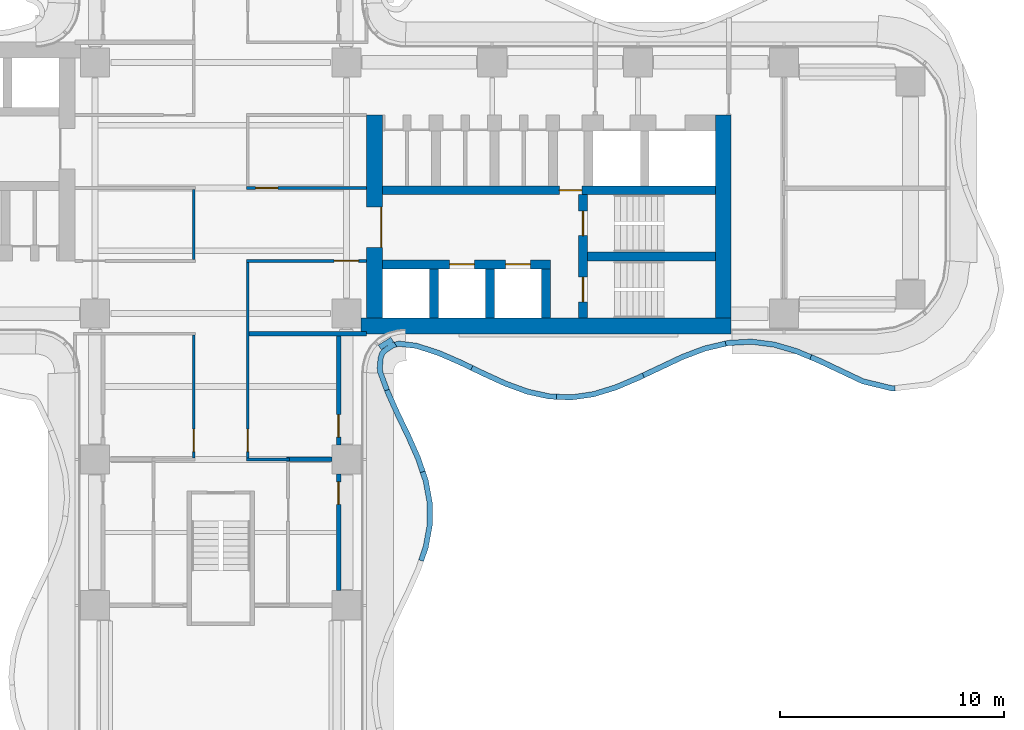
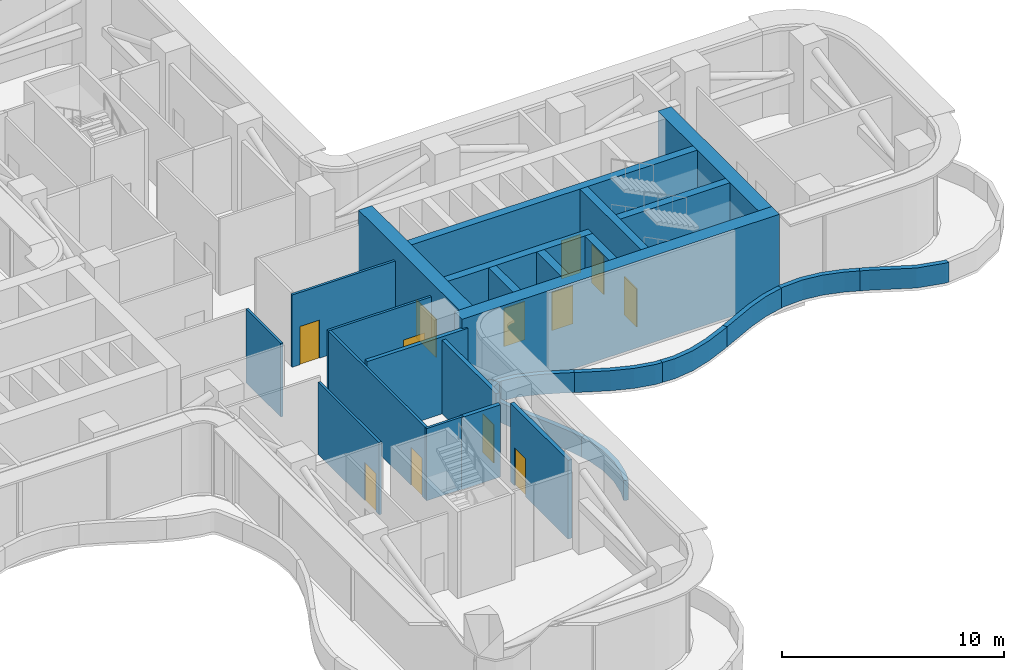
# One storey, part 14 of 20: 29 walls, 12 doors, 12 openings.
"""IFC4 building model written with IfcOpenShell, lengths in metres."""

from ifc_helpers import new_model, si_unit, direction, frame, frame_2d, origin, place, context, subcontext, project, spatial, polyline, rectangle, outline, extrude, source, transform, mapped, material, layer, layer_set, type_object, element, fill, save


model = new_model("IFC4")

# Units and contexts
model_context = context("Model", 3, precision=1e-05, world=origin(), true_north=direction((0.0, 1.0)))
body_context = subcontext(model_context, "Body", "Model", "MODEL_VIEW")
ifc_project = project(units=[si_unit("LENGTHUNIT", "METRE"), si_unit("AREAUNIT", "SQUARE_METRE"), si_unit("VOLUMEUNIT", "CUBIC_METRE"), si_unit("PLANEANGLEUNIT", "RADIAN"), si_unit("MASSUNIT", "GRAM", prefix="KILO")], contexts=[model_context])

# Site, building, storey
site_placement = place(None, origin())
site = spatial("IfcSite", under=ifc_project, at=site_placement, CompositionType="ELEMENT")
building_placement = place(site_placement, origin())
building = spatial("IfcBuilding", under=site, at=building_placement, Name="Trellis Farm Tower", CompositionType="ELEMENT")
storey_placement = place(building_placement, frame((0.0, 0.0, 92.5)))
storey = spatial("IfcBuildingStorey", under=building, at=storey_placement, Name="L19", CompositionType="ELEMENT", Elevation=92.5)

# Walls
ifc_material_1 = material(Name="Lightweight blockwork, plastered", Category="masonry")
ifc_layer_1 = layer(ifc_material_1, 0.199951171875)
ifc_layer_set_1 = layer_set([ifc_layer_1], Name="BLOCK WALL 200 EI 120")
wall_type_1 = type_object("IfcWallType", Name="BLOCK WALL 200 EI 120", PredefinedType="PARTITIONING", material=ifc_layer_set_1)
wall_1_placement = place(storey_placement, frame((1.262451171875, -6.5, 0.0), z_axis=(0.0, 0.0, 1.0), x_axis=(1.0, 0.0, 0.0)))
element("IfcWall", 1, at=wall_1_placement, inside=storey, type_object=wall_type_1, Name="Partition PW3", PredefinedType="PARTITIONING", context=body_context, shape_type="SweptSolid", body=[
    extrude(rectangle(XDim=5.237548828125, YDim=0.199951171875, at=frame_2d((2.61865234375, 0.0))), origin(), (0.0, 0.0, 1.0), 4.22998046875),
])
ifc_material_2 = material(Name="Sandstone faced insulated wall", Category="masonry")
ifc_layer_2 = layer(ifc_material_2, 0.22509765625)
ifc_layer_set_2 = layer_set([ifc_layer_2], Name="PARAPET WALL 225")
wall_type_2 = type_object("IfcWallType", Name="PARAPET WALL 225", PredefinedType="PARAPET", material=ifc_layer_set_2)
placement = place(storey_placement, origin())
element("IfcWall", 2, at=placement, inside=storey, type_object=wall_type_2, Name="Parapet", PredefinedType="PARAPET", context=body_context, shape_type="SweptSolid", body=[
    extrude(outline(polyline([(30.069091796875, -9.046142578125), (29.99755859375, -9.0546875), (29.907958984375, -9.04931640625), (28.583251953125, -8.726806640625), (26.628662109375, -7.802001953125), (26.25390625, -7.646728515625), (26.34375, -7.429931640625), (26.7265625, -7.58837890625), (28.672607421875, -8.50927734375), (29.952880859375, -8.818359375), (30.04150390625, -8.80810546875), (30.069091796875, -9.046142578125)])), origin(), (0.0, 0.0, 1.0), 1.10009765625),
])
element("IfcWall", 3, at=placement, inside=storey, type_object=wall_type_2, Name="Parapet", PredefinedType="PARAPET", context=body_context, shape_type="SweptSolid", body=[
    extrude(outline(polyline([(26.25390625, -7.646728515625), (25.6005859375, -7.375732421875), (24.648193359375, -7.096923828125), (23.670166015625, -6.96826171875), (22.660400390625, -7.02099609375), (22.53369140625, -7.05078125), (22.47998046875, -6.822021484375), (22.6171875, -6.789794921875), (23.65576171875, -6.732421875), (24.68798828125, -6.865234375), (25.673095703125, -7.152099609375), (26.34375, -7.429931640625), (26.25390625, -7.646728515625)])), origin(), (0.0, 0.0, 1.0), 1.10009765625),
])
element("IfcWall", 4, at=placement, inside=storey, type_object=wall_type_2, Name="Parapet", PredefinedType="PARAPET", context=body_context, shape_type="SweptSolid", body=[
    extrude(outline(polyline([(22.53369140625, -7.05078125), (21.615234375, -7.26513671875), (20.630615234375, -7.637451171875), (18.886474609375, -8.460205078125), (18.7861328125, -8.247802734375), (20.53466796875, -7.423095703125), (21.539306640625, -7.04248046875), (22.47998046875, -6.822021484375), (22.53369140625, -7.05078125)])), origin(), (0.0, 0.0, 1.0), 1.10009765625),
])
element("IfcWall", 5, at=placement, inside=storey, type_object=wall_type_2, Name="Parapet", PredefinedType="PARAPET", context=body_context, shape_type="SweptSolid", body=[
    extrude(outline(polyline([(18.886474609375, -8.460205078125), (18.656982421875, -8.568603515625), (17.63671875, -9.001953125), (16.62939453125, -9.309326171875), (15.625732421875, -9.45068359375), (14.968505859375, -9.422119140625), (14.97802734375, -9.188720703125), (15.631591796875, -9.215087890625), (16.5927734375, -9.076904296875), (17.565673828125, -8.77783203125), (18.558837890625, -8.35498046875), (18.7861328125, -8.247802734375), (18.886474609375, -8.460205078125)])), origin(), (0.0, 0.0, 1.0), 1.10009765625),
])
element("IfcWall", 6, at=placement, inside=storey, type_object=wall_type_2, Name="Parapet", PredefinedType="PARAPET", context=body_context, shape_type="SweptSolid", body=[
    extrude(outline(polyline([(14.968505859375, -9.422119140625), (14.62890625, -9.407470703125), (13.6376953125, -9.18896484375), (12.648681640625, -8.82763671875), (11.663330078125, -8.377197265625), (11.142333984375, -8.12646484375), (11.244384765625, -7.914794921875), (11.764404296875, -8.1650390625), (12.7451171875, -8.613037109375), (13.7109375, -8.96533203125), (14.67578125, -9.176513671875), (14.97802734375, -9.188720703125), (14.968505859375, -9.422119140625)])), origin(), (0.0, 0.0, 1.0), 1.10009765625),
])
element("IfcWall", 7, at=placement, inside=storey, type_object=wall_type_2, Name="Parapet", PredefinedType="PARAPET", context=body_context, shape_type="SweptSolid", body=[
    extrude(outline(polyline([(11.142333984375, -8.12646484375), (10.658935546875, -7.8935546875), (9.6884765625, -7.470947265625), (8.714111328125, -7.152587890625), (7.941162109375, -7.060791015625), (7.857177734375, -7.0830078125), (7.72021484375, -6.873046875), (7.906005859375, -6.82763671875), (7.9736328125, -6.823486328125), (8.740966796875, -6.91796875), (9.760498046875, -7.246826171875), (10.754638671875, -7.678955078125), (11.244384765625, -7.914794921875), (11.142333984375, -8.12646484375)])), origin(), (0.0, 0.0, 1.0), 1.10009765625),
])
element("IfcWall", 8, at=placement, inside=storey, type_object=wall_type_2, Name="Parapet", PredefinedType="PARAPET", context=body_context, shape_type="SweptSolid", body=[
    extrude(outline(polyline([(7.857177734375, -7.0830078125), (7.71142578125, -7.12158203125), (7.388427734375, -7.341552734375), (7.300537109375, -7.435302734375), (7.28515625, -7.46142578125), (7.243408203125, -7.59912109375), (7.206787109375, -8.0361328125), (7.229736328125, -8.200927734375), (7.51806640625, -8.96826171875), (7.29833984375, -9.0498046875), (6.994873046875, -8.231201171875), (6.9716796875, -8.02978515625), (7.01025390625, -7.56640625), (7.069091796875, -7.365478515625), (7.111083984375, -7.29345703125), (7.22607421875, -7.171142578125), (7.54150390625, -6.952880859375), (7.15380859375, -7.20556640625), (7.025390625, -7.008544921875), (7.5751953125, -6.650390625), (7.70361328125, -6.84716796875), (7.603515625, -6.912353515625), (7.65771484375, -6.888427734375), (7.72021484375, -6.873046875), (7.857177734375, -7.0830078125)])), origin(), (0.0, 0.0, 1.0), 1.10009765625),
])
element("IfcWall", 9, at=placement, inside=storey, type_object=wall_type_2, Name="Parapet", PredefinedType="PARAPET", context=body_context, shape_type="SweptSolid", body=[
    extrude(outline(polyline([(7.51806640625, -8.96826171875), (7.546630859375, -9.044189453125), (7.9921875, -10.03369140625), (8.47314453125, -11.030517578125), (8.91845703125, -12.03759765625), (9.111328125, -12.612548828125), (8.889404296875, -12.687255859375), (8.697509765625, -12.11767578125), (8.259033203125, -11.12744140625), (7.77978515625, -10.134521484375), (7.330810546875, -9.137451171875), (7.29833984375, -9.0498046875), (7.51806640625, -8.96826171875)])), origin(), (0.0, 0.0, 1.0), 1.10009765625),
])
element("IfcWall", 10, at=placement, inside=storey, type_object=wall_type_2, Name="Parapet", PredefinedType="PARAPET", context=body_context, shape_type="SweptSolid", body=[
    extrude(outline(polyline([(9.111328125, -12.612548828125), (9.25634765625, -13.045166015625), (9.435791015625, -14.0498046875), (9.43212890625, -15.048095703125), (9.2490234375, -16.040283203125), (9.04345703125, -16.64892578125), (8.821044921875, -16.57373046875), (9.023681640625, -15.97314453125), (9.198974609375, -15.016357421875), (9.20068359375, -14.060302734375), (9.025390625, -13.090087890625), (8.889404296875, -12.687255859375), (9.111328125, -12.612548828125)])), origin(), (0.0, 0.0, 1.0), 1.10009765625),
])

# Wall, opening, door
ifc_material_3 = material(Name="Plasterboard on steel studs, mineral wool", Category="steel")
ifc_layer_3 = layer(ifc_material_3, 0.125)
ifc_layer_set_3 = layer_set([ifc_layer_3], Name="PARTITION 125 STUD EI 60")
wall_type_3 = type_object("IfcWallType", Name="PARTITION 125 STUD EI 60", PredefinedType="PARTITIONING", material=ifc_layer_set_3)
wall_11_placement = place(storey_placement, frame((1.199951171875, -3.3125, 0.0), z_axis=(0.0, 0.0, 1.0), x_axis=(0.0, -1.0, 0.0)))
wall_11 = element("IfcWall", 11, at=wall_11_placement, inside=storey, type_object=wall_type_3, Name="Partition PW1", PredefinedType="PARTITIONING", context=body_context, shape_type="SweptSolid", body=[
    extrude(rectangle(XDim=8.72509765625, YDim=0.125, at=frame_2d((4.362548828125, 0.0))), origin(), (0.0, 0.0, 1.0), 3.9677734375),
])
shared_shape_1 = source(origin(), body_context, "Body", "SweptSolid", [
    extrude(rectangle(XDim=1.0, YDim=2.10009765625, at=frame_2d((0.5, 1.050048828125))), frame((0.0, 0.072509765625, 0.0), z_axis=(0.0, -1.0, 0.0), x_axis=(1.0, 0.0, 0.0)), (0.0, 0.0, 1.0), 0.14501953125),
])
opening_1_placement = place(wall_11_placement, frame((7.4375, 0.0, 0.0)))
opening_1 = element("IfcOpeningElement", 12, at=opening_1_placement, cuts=wall_11, Name="Opening D304", PredefinedType="OPENING", context=body_context, shape_type="MappedRepresentation", body=[
    mapped(shared_shape_1, transform((0.0, 0.0, 0.0))),
])
ifc_material_4 = material(Name="Fire-rated timber door leaf in a hollow metal frame", Category="wood")
door_type_1 = type_object("IfcDoorType", Name="DOOR 1000x2100 FD60", OperationType="NOTDEFINED", PredefinedType="DOOR", material=ifc_material_4)
shared_shape_2 = source(origin(), body_context, "Body", "SweptSolid", [
    extrude(rectangle(XDim=1.0, YDim=2.10009765625, at=frame_2d((0.5, 1.050048828125))), frame((0.0, 0.02490234375, 0.0), z_axis=(0.0, -1.0, 0.0), x_axis=(1.0, 0.0, 0.0)), (0.0, 0.0, 1.0), 0.050048828125),
])
door_1_placement = place(opening_1_placement, origin())
door_1 = element("IfcDoor", 13, at=door_1_placement, inside=storey, type_object=door_type_1, Name="Door D304", OperationType="SINGLE_SWING_RIGHT", OverallHeight=2.10009765625, OverallWidth=1.0, PredefinedType="DOOR", context=body_context, shape_type="MappedRepresentation", body=[
    mapped(shared_shape_2, transform((0.0, 0.0, 0.0))),
])
fill(opening_1, door_1)

ifc_material_5 = material(Name="Concrete C80/95", Category="concrete")
ifc_layer_4 = layer(ifc_material_5, 0.699951171875)
ifc_layer_set_4 = layer_set([ifc_layer_4], Name="CORE OUTER WALL 700 CONCRETE C80/95")
wall_type_4 = type_object("IfcWallType", Name="CORE OUTER WALL 700 CONCRETE C80/95", PredefinedType="SHEAR", material=ifc_layer_set_4)
shared_shape_3 = source(origin(), body_context, "Body", "SweptSolid", [
    extrude(rectangle(XDim=9.050048828125, YDim=0.699951171875, at=frame_2d((4.52490234375, 0.0))), origin(), (0.0, 0.0, 1.0), 4.75),
])
wall_12_placement = place(storey_placement, frame((6.85009765625, -5.800048828125, 0.0), z_axis=(0.0, 0.0, 1.0), x_axis=(0.0, 1.0, 0.0)))
wall_12 = element("IfcWall", 14, at=wall_12_placement, inside=storey, type_object=wall_type_4, Name="Core wall", PredefinedType="SHEAR", context=body_context, shape_type="MappedRepresentation", body=[
    mapped(shared_shape_3, transform((0.0, 0.0, 0.0))),
])
shared_shape_4 = source(origin(), body_context, "Body", "SweptSolid", [
    extrude(rectangle(XDim=1.800048828125, YDim=2.10009765625, at=frame_2d((0.89990234375, 1.050048828125))), frame((0.0, 0.360107421875, 0.0), z_axis=(0.0, -1.0, 0.0), x_axis=(1.0, 0.0, 0.0)), (0.0, 0.0, 1.0), 0.72021484375),
])
opening_2_placement = place(wall_12_placement, frame((3.14990234375, 0.0, 0.0)))
opening_2 = element("IfcOpeningElement", 15, at=opening_2_placement, cuts=wall_12, Name="Opening DC1", PredefinedType="OPENING", context=body_context, shape_type="MappedRepresentation", body=[
    mapped(shared_shape_4, transform((0.0, 0.0, 0.0))),
])
ifc_material_6 = material(Name="Steel", Category="steel")
door_type_2 = type_object("IfcDoorType", Name="CORE FIRE DOOR DOUBLE 1800 X 2100", OperationType="DOUBLE_DOOR_SINGLE_SWING", PredefinedType="DOOR", material=ifc_material_6)
shared_shape_5 = source(origin(), body_context, "Body", "SweptSolid", [
    extrude(rectangle(XDim=1.800048828125, YDim=2.10009765625, at=frame_2d((0.89990234375, 1.050048828125))), frame((0.0, -0.27490234375, 0.0), z_axis=(0.0, -1.0, 0.0), x_axis=(1.0, 0.0, 0.0)), (0.0, 0.0, 1.0), 0.050048828125),
])
door_2_placement = place(opening_2_placement, origin())
door_2 = element("IfcDoor", 16, at=door_2_placement, inside=storey, type_object=door_type_2, Name="Core door", OperationType="DOUBLE_DOOR_SINGLE_SWING", OverallHeight=2.10009765625, OverallWidth=1.800048828125, PredefinedType="DOOR", context=body_context, shape_type="MappedRepresentation", body=[
    mapped(shared_shape_5, transform((0.0, 0.0, 0.0))),
])
fill(opening_2, door_2)

# Walls
wall_13_placement = place(storey_placement, frame((22.39990234375, -5.800048828125, 0.0), z_axis=(0.0, 0.0, 1.0), x_axis=(0.0, 1.0, 0.0)))
element("IfcWall", 17, at=wall_13_placement, inside=storey, type_object=wall_type_4, Name="Core wall", PredefinedType="SHEAR", context=body_context, shape_type="MappedRepresentation", body=[
    mapped(shared_shape_3, transform((0.0, 0.0, 0.0))),
])
ifc_layer_5 = layer(ifc_material_5, 0.39990234375)
ifc_layer_set_5 = layer_set([ifc_layer_5], Name="CORE INNER WALL 400 CONCRETE C80/95")
wall_type_5 = type_object("IfcWallType", Name="CORE INNER WALL 400 CONCRETE C80/95", PredefinedType="SHEAR", material=ifc_layer_set_5)
shared_shape_6 = source(origin(), body_context, "Body", "SweptSolid", [
    extrude(rectangle(XDim=2.199951171875, YDim=0.39990234375, at=frame_2d((1.10009765625, 0.0))), origin(), (0.0, 0.0, 1.0), 4.75),
])
for number, where, z_axis, x_axis, name in (
    (18, (9.5, -5.800048828125, 0.0), (0.0, 0.0, 1.0), (0.0, 1.0, 0.0), "Core wall"),
    (19, (12.0, -5.800048828125, 0.0), (0.0, 0.0, 1.0), (0.0, 1.0, 0.0), "Core wall"),
    (20, (14.5, -5.800048828125, 0.0), (0.0, 0.0, 1.0), (0.0, 1.0, 0.0), "Core wall"),
):
    element("IfcWall", number, at=place(storey_placement, frame(where, z_axis=z_axis, x_axis=x_axis)), inside=storey, type_object=wall_type_5, Name=name, PredefinedType="SHEAR", context=body_context, shape_type="MappedRepresentation", body=[
        mapped(shared_shape_6, transform((0.0, 0.0, 0.0))),
    ])
shared_shape_7 = source(origin(), body_context, "Body", "SweptSolid", [
    extrude(rectangle(XDim=16.5, YDim=0.699951171875, at=frame_2d((8.25, 0.0))), origin(), (0.0, 0.0, 1.0), 4.75),
])
wall_14_placement = place(storey_placement, frame((6.25, -6.14990234375, 0.0), z_axis=(0.0, 0.0, 1.0), x_axis=(1.0, 0.0, 0.0)))
element("IfcWall", 21, at=wall_14_placement, inside=storey, type_object=wall_type_4, Name="Core wall", PredefinedType="SHEAR", context=body_context, shape_type="MappedRepresentation", body=[
    mapped(shared_shape_7, transform((0.0, 0.0, 0.0))),
])

# Wall, openings, doors
shared_shape_8 = source(origin(), body_context, "Body", "SweptSolid", [
    extrude(rectangle(XDim=7.5, YDim=0.39990234375, at=frame_2d((3.75, 0.0))), origin(), (0.0, 0.0, 1.0), 4.75),
])
wall_15_placement = place(storey_placement, frame((7.199951171875, -3.39990234375, 0.0), z_axis=(0.0, 0.0, 1.0), x_axis=(1.0, 0.0, 0.0)))
wall_15 = element("IfcWall", 22, at=wall_15_placement, inside=storey, type_object=wall_type_5, Name="Core wall", PredefinedType="SHEAR", context=body_context, shape_type="MappedRepresentation", body=[
    mapped(shared_shape_8, transform((0.0, 0.0, 0.0))),
])
shared_shape_9 = source(origin(), body_context, "Body", "SweptSolid", [
    extrude(rectangle(XDim=1.10009765625, YDim=2.10009765625, at=frame_2d((0.550048828125, 1.050048828125))), frame((0.0, 0.2099609375, 0.0), z_axis=(0.0, -1.0, 0.0), x_axis=(1.0, 0.0, 0.0)), (0.0, 0.0, 1.0), 0.419921875),
])
opening_3_placement = place(wall_15_placement, frame((3.0, 0.0, 0.0)))
opening_3 = element("IfcOpeningElement", 23, at=opening_3_placement, cuts=wall_15, Name="Opening LD2", PredefinedType="OPENING", context=body_context, shape_type="MappedRepresentation", body=[
    mapped(shared_shape_9, transform((0.0, 0.0, 0.0))),
])
opening_4_placement = place(wall_15_placement, frame((5.5, 0.0, 0.0)))
opening_4 = element("IfcOpeningElement", 24, at=opening_4_placement, cuts=wall_15, Name="Opening LD3", PredefinedType="OPENING", context=body_context, shape_type="MappedRepresentation", body=[
    mapped(shared_shape_9, transform((0.0, 0.0, 0.0))),
])
ifc_material_7 = material(Name="Stainless steel", Category="steel")
door_type_3 = type_object("IfcDoorType", Name="LIFT LANDING DOOR 1100 X 2100", OperationType="DOUBLE_DOOR_SLIDING", PredefinedType="DOOR", material=ifc_material_7)
shared_shape_10 = source(origin(), body_context, "Body", "SweptSolid", [
    extrude(rectangle(XDim=1.10009765625, YDim=2.10009765625, at=frame_2d((0.550048828125, 1.050048828125))), frame((0.0, 0.02490234375, 0.0), z_axis=(0.0, -1.0, 0.0), x_axis=(1.0, 0.0, 0.0)), (0.0, 0.0, 1.0), 0.050048828125),
])
door_3_placement = place(opening_3_placement, origin())
door_3 = element("IfcDoor", 25, at=door_3_placement, inside=storey, type_object=door_type_3, Name="Lift landing door", OperationType="DOUBLE_DOOR_SLIDING", OverallHeight=2.10009765625, OverallWidth=1.10009765625, PredefinedType="DOOR", context=body_context, shape_type="MappedRepresentation", body=[
    mapped(shared_shape_10, transform((0.0, 0.0, 0.0))),
])
fill(opening_3, door_3)
door_4_placement = place(opening_4_placement, origin())
door_4 = element("IfcDoor", 26, at=door_4_placement, inside=storey, type_object=door_type_3, Name="Lift landing door", OperationType="DOUBLE_DOOR_SLIDING", OverallHeight=2.10009765625, OverallWidth=1.10009765625, PredefinedType="DOOR", context=body_context, shape_type="MappedRepresentation", body=[
    mapped(shared_shape_10, transform((0.0, 0.0, 0.0))),
])
fill(opening_4, door_4)

# Wall, opening, door
shared_shape_11 = source(origin(), body_context, "Body", "SweptSolid", [
    extrude(rectangle(XDim=14.85009765625, YDim=0.39990234375, at=frame_2d((7.425048828125, 0.0))), origin(), (0.0, 0.0, 1.0), 4.75),
])
wall_16_placement = place(storey_placement, frame((7.199951171875, -0.10009765625, 0.0), z_axis=(0.0, 0.0, 1.0), x_axis=(1.0, 0.0, 0.0)))
wall_16 = element("IfcWall", 27, at=wall_16_placement, inside=storey, type_object=wall_type_5, Name="Core wall", PredefinedType="SHEAR", context=body_context, shape_type="MappedRepresentation", body=[
    mapped(shared_shape_11, transform((0.0, 0.0, 0.0))),
])
shared_shape_12 = source(origin(), body_context, "Body", "SweptSolid", [
    extrude(rectangle(XDim=1.0, YDim=2.10009765625, at=frame_2d((0.5, 1.050048828125))), frame((0.0, 0.2099609375, 0.0), z_axis=(0.0, -1.0, 0.0), x_axis=(1.0, 0.0, 0.0)), (0.0, 0.0, 1.0), 0.419921875),
])
opening_5_placement = place(wall_16_placement, frame((7.89990234375, 0.0, 0.0)))
opening_5 = element("IfcOpeningElement", 28, at=opening_5_placement, cuts=wall_16, Name="Opening DC5", PredefinedType="OPENING", context=body_context, shape_type="MappedRepresentation", body=[
    mapped(shared_shape_12, transform((0.0, 0.0, 0.0))),
])
door_type_4 = type_object("IfcDoorType", Name="CORE FIRE DOOR 1000 X 2100", OperationType="NOTDEFINED", PredefinedType="DOOR", material=ifc_material_6)
door_5_placement = place(opening_5_placement, origin())
door_5 = element("IfcDoor", 29, at=door_5_placement, inside=storey, type_object=door_type_4, Name="Core door", OperationType="SINGLE_SWING_RIGHT", OverallHeight=2.10009765625, OverallWidth=1.0, PredefinedType="DOOR", context=body_context, shape_type="MappedRepresentation", body=[
    mapped(shared_shape_2, transform((0.0, 0.0, 0.0))),
])
fill(opening_5, door_5)

# Wall, openings, doors
shared_shape_13 = source(origin(), body_context, "Body", "SweptSolid", [
    extrude(rectangle(XDim=5.5, YDim=0.39990234375, at=frame_2d((2.75, 0.0))), origin(), (0.0, 0.0, 1.0), 4.75),
])
wall_17_placement = place(storey_placement, frame((16.14990234375, -5.800048828125, 0.0), z_axis=(0.0, 0.0, 1.0), x_axis=(0.0, 1.0, 0.0)))
wall_17 = element("IfcWall", 30, at=wall_17_placement, inside=storey, type_object=wall_type_5, Name="Core wall", PredefinedType="SHEAR", context=body_context, shape_type="MappedRepresentation", body=[
    mapped(shared_shape_13, transform((0.0, 0.0, 0.0))),
])
opening_6_placement = place(wall_17_placement, frame((0.72509765625, 0.0, 0.0)))
opening_6 = element("IfcOpeningElement", 31, at=opening_6_placement, cuts=wall_17, Name="Opening DC2", PredefinedType="OPENING", context=body_context, shape_type="MappedRepresentation", body=[
    mapped(shared_shape_9, transform((0.0, 0.0, 0.0))),
])
opening_7_placement = place(wall_17_placement, frame((3.675048828125, 0.0, 0.0)))
opening_7 = element("IfcOpeningElement", 32, at=opening_7_placement, cuts=wall_17, Name="Opening DC3", PredefinedType="OPENING", context=body_context, shape_type="MappedRepresentation", body=[
    mapped(shared_shape_9, transform((0.0, 0.0, 0.0))),
])
door_type_5 = type_object("IfcDoorType", Name="CORE FIRE DOOR 1100 X 2100", OperationType="NOTDEFINED", PredefinedType="DOOR", material=ifc_material_6)
door_6_placement = place(opening_6_placement, origin())
door_6 = element("IfcDoor", 33, at=door_6_placement, inside=storey, type_object=door_type_5, Name="Core door", OperationType="SINGLE_SWING_RIGHT", OverallHeight=2.10009765625, OverallWidth=1.10009765625, PredefinedType="DOOR", context=body_context, shape_type="MappedRepresentation", body=[
    mapped(shared_shape_10, transform((0.0, 0.0, 0.0))),
])
fill(opening_6, door_6)
door_7_placement = place(opening_7_placement, origin())
door_7 = element("IfcDoor", 34, at=door_7_placement, inside=storey, type_object=door_type_5, Name="Core door", OperationType="SINGLE_SWING_LEFT", OverallHeight=2.10009765625, OverallWidth=1.10009765625, PredefinedType="DOOR", context=body_context, shape_type="MappedRepresentation", body=[
    mapped(shared_shape_10, transform((0.0, 0.0, 0.0))),
])
fill(opening_7, door_7)

# Wall
shared_shape_14 = source(origin(), body_context, "Body", "SweptSolid", [
    extrude(rectangle(XDim=5.699951171875, YDim=0.39990234375, at=frame_2d((2.85009765625, 0.0))), origin(), (0.0, 0.0, 1.0), 4.75),
])
wall_18_placement = place(storey_placement, frame((16.35009765625, -3.050048828125, 0.0), z_axis=(0.0, 0.0, 1.0), x_axis=(1.0, 0.0, 0.0)))
element("IfcWall", 35, at=wall_18_placement, inside=storey, type_object=wall_type_5, Name="Core wall", PredefinedType="SHEAR", context=body_context, shape_type="MappedRepresentation", body=[
    mapped(shared_shape_14, transform((0.0, 0.0, 0.0))),
])

# Wall, opening, door
shared_shape_15 = source(origin(), body_context, "Body", "SweptSolid", [
    extrude(rectangle(XDim=5.199951171875, YDim=0.199951171875, at=frame_2d((2.60009765625, 0.0))), origin(), (0.0, 0.0, 1.0), 4.323486328125),
])
wall_19_placement = place(storey_placement, frame((5.25, -17.949951171875, 0.0), z_axis=(0.0, 0.0, 1.0), x_axis=(0.0, 1.0, 0.0)))
wall_19 = element("IfcWall", 36, at=wall_19_placement, inside=storey, type_object=wall_type_1, Name="Partition PW3", PredefinedType="PARTITIONING", context=body_context, shape_type="MappedRepresentation", body=[
    mapped(shared_shape_15, transform((0.0, 0.0, 0.0))),
])
shared_shape_16 = source(origin(), body_context, "Body", "SweptSolid", [
    extrude(rectangle(XDim=1.0, YDim=2.10009765625, at=frame_2d((0.5, 1.050048828125))), frame((0.0, 0.110107421875, 0.0), z_axis=(0.0, -1.0, 0.0), x_axis=(1.0, 0.0, 0.0)), (0.0, 0.0, 1.0), 0.22021484375),
])
opening_8_placement = place(wall_19_placement, frame((3.85009765625, 0.0, 0.0)))
opening_8 = element("IfcOpeningElement", 37, at=opening_8_placement, cuts=wall_19, Name="Opening D103", PredefinedType="OPENING", context=body_context, shape_type="MappedRepresentation", body=[
    mapped(shared_shape_16, transform((0.0, 0.0, 0.0))),
])
door_type_6 = type_object("IfcDoorType", Name="DOOR 1000x2100 FD30S", OperationType="NOTDEFINED", PredefinedType="DOOR", material=ifc_material_4)
door_8_placement = place(opening_8_placement, origin())
door_8 = element("IfcDoor", 38, at=door_8_placement, inside=storey, type_object=door_type_6, Name="Door D103", OperationType="SINGLE_SWING_RIGHT", OverallHeight=2.10009765625, OverallWidth=1.0, PredefinedType="DOOR", context=body_context, shape_type="MappedRepresentation", body=[
    mapped(shared_shape_2, transform((0.0, 0.0, 0.0))),
])
fill(opening_8, door_8)

# Wall
shared_shape_17 = source(origin(), body_context, "Body", "SweptSolid", [
    extrude(rectangle(XDim=3.125, YDim=0.125, at=frame_2d((1.5625, 0.0))), origin(), (0.0, 0.0, 1.0), 4.04638671875),
])
wall_20_placement = place(storey_placement, frame((-1.199951171875, -0.0625, 0.0), z_axis=(0.0, 0.0, 1.0), x_axis=(0.0, -1.0, 0.0)))
element("IfcWall", 39, at=wall_20_placement, inside=storey, type_object=wall_type_3, Name="Partition PW1", PredefinedType="PARTITIONING", context=body_context, shape_type="MappedRepresentation", body=[
    mapped(shared_shape_17, transform((0.0, 0.0, 0.0))),
])

# Wall, opening, door
shared_shape_18 = source(origin(), body_context, "Body", "SweptSolid", [
    extrude(rectangle(XDim=5.47509765625, YDim=0.125, at=frame_2d((2.737548828125, 0.0))), origin(), (0.0, 0.0, 1.0), 3.9677734375),
])
wall_21_placement = place(storey_placement, frame((-1.199951171875, -12.03759765625, 0.0), z_axis=(0.0, 0.0, 1.0), x_axis=(0.0, 1.0, 0.0)))
wall_21 = element("IfcWall", 40, at=wall_21_placement, inside=storey, type_object=wall_type_3, Name="Partition PW1", PredefinedType="PARTITIONING", context=body_context, shape_type="MappedRepresentation", body=[
    mapped(shared_shape_18, transform((0.0, 0.0, 0.0))),
])
opening_9_placement = place(wall_21_placement, frame((0.28759765625, 0.0, 0.0)))
opening_9 = element("IfcOpeningElement", 41, at=opening_9_placement, cuts=wall_21, Name="Opening D303", PredefinedType="OPENING", context=body_context, shape_type="MappedRepresentation", body=[
    mapped(shared_shape_1, transform((0.0, 0.0, 0.0))),
])
door_9_placement = place(opening_9_placement, origin())
door_9 = element("IfcDoor", 42, at=door_9_placement, inside=storey, type_object=door_type_1, Name="Door D303", OperationType="SINGLE_SWING_LEFT", OverallHeight=2.10009765625, OverallWidth=1.0, PredefinedType="DOOR", context=body_context, shape_type="MappedRepresentation", body=[
    mapped(shared_shape_2, transform((0.0, 0.0, 0.0))),
])
fill(opening_9, door_9)

shared_shape_19 = source(origin(), body_context, "Body", "SweptSolid", [
    extrude(rectangle(XDim=4.849853515625, YDim=0.199951171875, at=frame_2d((2.4248046875, 0.0))), origin(), (0.0, 0.0, 1.0), 4.04638671875),
])
wall_22_placement = place(storey_placement, frame((5.25, -11.449951171875, 0.0), z_axis=(0.0, 0.0, 1.0), x_axis=(0.0, 1.0, 0.0)))
wall_22 = element("IfcWall", 43, at=wall_22_placement, inside=storey, type_object=wall_type_1, Name="Partition PW3", PredefinedType="PARTITIONING", context=body_context, shape_type="MappedRepresentation", body=[
    mapped(shared_shape_19, transform((0.0, 0.0, 0.0))),
])
opening_10_placement = place(wall_22_placement, frame((0.35009765625, 0.0, 0.0)))
opening_10 = element("IfcOpeningElement", 44, at=opening_10_placement, cuts=wall_22, Name="Opening D105", PredefinedType="OPENING", context=body_context, shape_type="MappedRepresentation", body=[
    mapped(shared_shape_16, transform((0.0, 0.0, 0.0))),
])
door_10_placement = place(opening_10_placement, origin())
door_10 = element("IfcDoor", 45, at=door_10_placement, inside=storey, type_object=door_type_6, Name="Door D105", OperationType="SINGLE_SWING_LEFT", OverallHeight=2.10009765625, OverallWidth=1.0, PredefinedType="DOOR", context=body_context, shape_type="MappedRepresentation", body=[
    mapped(shared_shape_2, transform((0.0, 0.0, 0.0))),
])
fill(opening_10, door_10)

# Walls
shared_shape_20 = source(origin(), body_context, "Body", "SweptSolid", [
    extrude(rectangle(XDim=2.012451171875, YDim=0.199951171875, at=frame_2d((1.00634765625, 0.0))), origin(), (0.0, 0.0, 1.0), 3.9677734375),
])
wall_23_placement = place(storey_placement, frame((2.9375, -12.10009765625, 0.0), z_axis=(0.0, 0.0, 1.0), x_axis=(1.0, 0.0, 0.0)))
element("IfcWall", 46, at=wall_23_placement, inside=storey, type_object=wall_type_1, Name="Partition PW3", PredefinedType="PARTITIONING", context=body_context, shape_type="MappedRepresentation", body=[
    mapped(shared_shape_20, transform((0.0, 0.0, 0.0))),
])
shared_shape_21 = source(origin(), body_context, "Body", "SweptSolid", [
    extrude(rectangle(XDim=1.925048828125, YDim=0.125, at=frame_2d((0.96240234375, 0.0))), origin(), (0.0, 0.0, 1.0), 3.9677734375),
])
wall_24_placement = place(storey_placement, frame((1.137451171875, -12.10009765625, 0.0), z_axis=(0.0, 0.0, 1.0), x_axis=(1.0, 0.0, 0.0)))
element("IfcWall", 47, at=wall_24_placement, inside=storey, type_object=wall_type_3, Name="Partition PW1", PredefinedType="PARTITIONING", context=body_context, shape_type="MappedRepresentation", body=[
    mapped(shared_shape_21, transform((0.0, 0.0, 0.0))),
])

# Wall, opening, door
shared_shape_22 = source(origin(), body_context, "Body", "SweptSolid", [
    extrude(rectangle(XDim=5.362548828125, YDim=0.125, at=frame_2d((2.68115234375, 0.0))), origin(), (0.0, 0.0, 1.0), 3.9677734375),
])
wall_25_placement = place(storey_placement, frame((6.5, -3.25, 0.0), z_axis=(0.0, 0.0, 1.0), x_axis=(-1.0, 0.0, 0.0)))
wall_25 = element("IfcWall", 48, at=wall_25_placement, inside=storey, type_object=wall_type_3, Name="Partition PW1", PredefinedType="PARTITIONING", context=body_context, shape_type="MappedRepresentation", body=[
    mapped(shared_shape_22, transform((0.0, 0.0, 0.0))),
])
shared_shape_23 = source(origin(), body_context, "Body", "SweptSolid", [
    extrude(rectangle(XDim=1.10009765625, YDim=2.10009765625, at=frame_2d((0.550048828125, 1.050048828125))), frame((0.0, 0.072509765625, 0.0), z_axis=(0.0, -1.0, 0.0), x_axis=(1.0, 0.0, 0.0)), (0.0, 0.0, 1.0), 0.14501953125),
])
opening_11_placement = place(wall_25_placement, frame((0.35009765625, 0.0, 0.0)))
opening_11 = element("IfcOpeningElement", 49, at=opening_11_placement, cuts=wall_25, Name="Opening D501", PredefinedType="OPENING", context=body_context, shape_type="MappedRepresentation", body=[
    mapped(shared_shape_23, transform((0.0, 0.0, 0.0))),
])
door_type_7 = type_object("IfcDoorType", Name="DOOR 1100x2100 FD30S", OperationType="NOTDEFINED", PredefinedType="DOOR", material=ifc_material_4)
door_11_placement = place(opening_11_placement, origin())
door_11 = element("IfcDoor", 50, at=door_11_placement, inside=storey, type_object=door_type_7, Name="Door D501", OperationType="SINGLE_SWING_LEFT", OverallHeight=2.10009765625, OverallWidth=1.10009765625, PredefinedType="DOOR", context=body_context, shape_type="MappedRepresentation", body=[
    mapped(shared_shape_10, transform((0.0, 0.0, 0.0))),
])
fill(opening_11, door_11)

wall_26_placement = place(storey_placement, frame((6.5, 0.0, 0.0), z_axis=(0.0, 0.0, 1.0), x_axis=(-1.0, 0.0, 0.0)))
wall_26 = element("IfcWall", 51, at=wall_26_placement, inside=storey, type_object=wall_type_3, Name="Partition PW1", PredefinedType="PARTITIONING", context=body_context, shape_type="MappedRepresentation", body=[
    mapped(shared_shape_22, transform((0.0, 0.0, 0.0))),
])
opening_12_placement = place(wall_26_placement, frame((3.949951171875, 0.0, 0.0)))
opening_12 = element("IfcOpeningElement", 52, at=opening_12_placement, cuts=wall_26, Name="Opening D107", PredefinedType="OPENING", context=body_context, shape_type="MappedRepresentation", body=[
    mapped(shared_shape_1, transform((0.0, 0.0, 0.0))),
])
door_12_placement = place(opening_12_placement, origin())
door_12 = element("IfcDoor", 53, at=door_12_placement, inside=storey, type_object=door_type_6, Name="Door D107", OperationType="SINGLE_SWING_RIGHT", OverallHeight=2.10009765625, OverallWidth=1.0, PredefinedType="DOOR", context=body_context, shape_type="MappedRepresentation", body=[
    mapped(shared_shape_2, transform((0.0, 0.0, 0.0))),
])
fill(opening_12, door_12)

save(model, "model.ifc")
